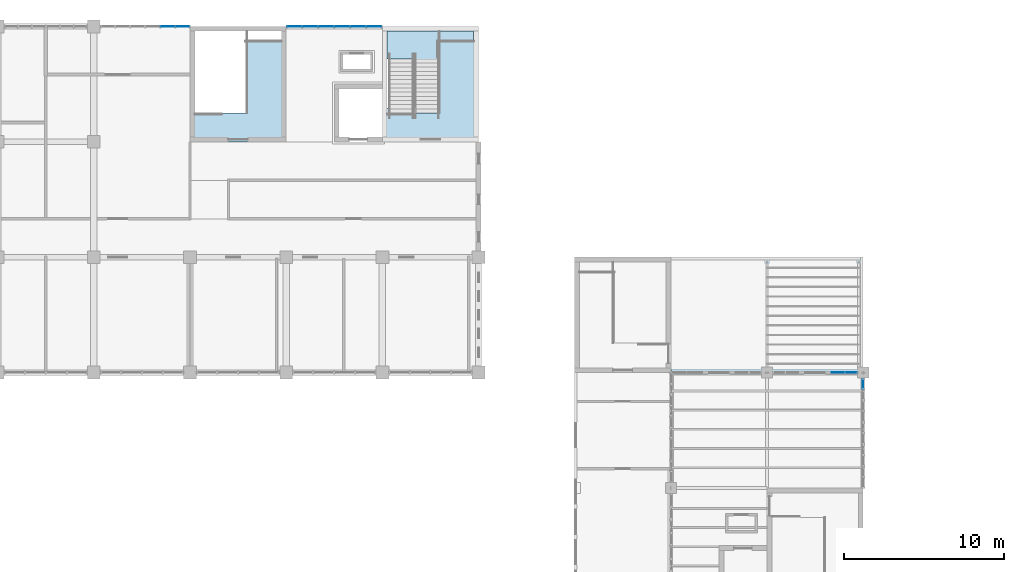
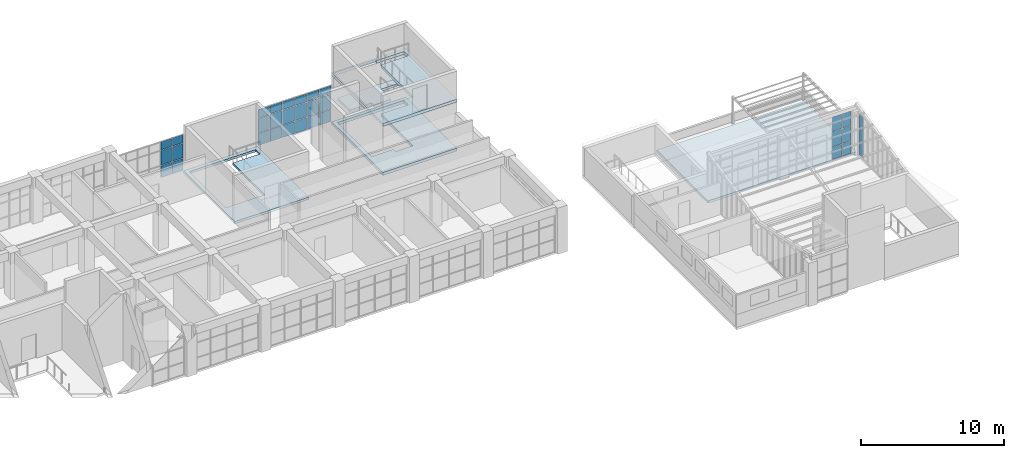
# One storey, part 35 of 51: 31 plates, 5 slabs, 5 elements without a shape of their own.
"""IFC4 building model written with IfcOpenShell, lengths in metres."""

from ifc_helpers import new_model, si_unit, direction, frame, origin, origin_2d, place, context, subcontext, project, spatial, polyline, rectangle, outline, extrude, material, layer, layer_set, type_object, element, aggregate, save


model = new_model("IFC4")

# Units and contexts
model_context = context("Model", 3, precision=1e-05, world=origin(), true_north=direction((0.0, 1.0)))
body_context = subcontext(model_context, "Body", "Model", "MODEL_VIEW")
ifc_project = project(units=[si_unit("LENGTHUNIT", "METRE"), si_unit("AREAUNIT", "SQUARE_METRE"), si_unit("VOLUMEUNIT", "CUBIC_METRE"), si_unit("PLANEANGLEUNIT", "RADIAN"), si_unit("MASSUNIT", "GRAM", prefix="KILO")], contexts=[model_context])

# Site, building, storey
site_placement = place(None, origin())
site = spatial("IfcSite", under=ifc_project, at=site_placement, CompositionType="ELEMENT")
building_placement = place(site_placement, origin())
building = spatial("IfcBuilding", under=site, at=building_placement, Name="Laocheng Heights Fire and Rescue Headquarters", CompositionType="ELEMENT")
storey_placement = place(building_placement, frame((0.0, 0.0, 21.0)))
storey = spatial("IfcBuildingStorey", under=building, at=storey_placement, Name="L05", CompositionType="ELEMENT", Elevation=21.0)

# Curtain wall, plates
ifc_material_1 = material(Name="Dark anodised aluminium unitised curtain wall, low-e double glazing", Category="aluminium")
curtain_wall_type_1 = type_object("IfcCurtainWallType", Name="CW 5600 x 3150 HQ NORTH GLAZING", PredefinedType="NOTDEFINED", material=ifc_material_1)
curtain_wall_1_placement = place(storey_placement, origin())
curtain_wall_1 = element("IfcCurtainWall", 1, at=curtain_wall_1_placement, inside=storey, type_object=curtain_wall_type_1, Name="X27-X HQ NORTH L05", PredefinedType="NOTDEFINED")
ifc_material_2 = material(Name="Laminated safety glass, low-e double glazed unit", Category="glass")
ifc_layer_1 = layer(ifc_material_2, 0.0400390625)
ifc_layer_set_1 = layer_set([ifc_layer_1], Name="Laminated safety glass, low-e double glazed unit")
plate_type_1 = type_object("IfcPlateType", Name="CW LAMINATED SAFETY PANEL 40 X", PredefinedType="CURTAIN_PANEL", material=ifc_layer_set_1)
plate_1_placement = place(storey_placement, frame((64.60009765625, 72.0, 0.050048828125), z_axis=(0.0, 0.0, 1.0), x_axis=(1.0, 0.0, 0.0)))
plate_1 = element("IfcPlate", 2, at=plate_1_placement, type_object=plate_type_1, Name="X27-X panel 5.1", PredefinedType="CURTAIN_PANEL", context=body_context, shape_type="SweptSolid", body=[
    extrude(rectangle(XDim=0.873291015625, YDim=0.0400390625, at=origin_2d()), origin(), (0.0, 0.0, 1.0), 1.02490234375),
])
plate_2_placement = place(storey_placement, frame((65.518310546875, 72.0, 0.050048828125), z_axis=(0.0, 0.0, 1.0), x_axis=(1.0, 0.0, 0.0)))
plate_2 = element("IfcPlate", 3, at=plate_2_placement, type_object=plate_type_1, Name="X27-X panel 6.1", PredefinedType="CURTAIN_PANEL", context=body_context, shape_type="SweptSolid", body=[
    extrude(rectangle(XDim=0.84326171875, YDim=0.0400390625, at=origin_2d()), origin(), (0.0, 0.0, 1.0), 1.02490234375),
])

ifc_material_3 = material(Name="Dark anodised aluminium unitised curtain wall, low-e double glazing", Category="aluminium")
curtain_wall_type_2 = type_object("IfcCurtainWallType", Name="CW 6000 x 3150 HQ NORTH GLAZING", PredefinedType="NOTDEFINED", material=ifc_material_3)
curtain_wall_2_placement = place(storey_placement, origin())
curtain_wall_2 = element("IfcCurtainWall", 4, at=curtain_wall_2_placement, inside=storey, type_object=curtain_wall_type_2, Name="X28-X HQ NORTH L05", PredefinedType="NOTDEFINED")
plate_3_placement = place(storey_placement, frame((72.514892578125, 72.0, 0.050048828125), z_axis=(0.0, 0.0, 1.0), x_axis=(1.0, 0.0, 0.0)))
plate_3 = element("IfcPlate", 5, at=plate_3_placement, type_object=plate_type_1, Name="X28-X panel 1.1", PredefinedType="CURTAIN_PANEL", context=body_context, shape_type="SweptSolid", body=[
    extrude(rectangle(XDim=0.909912109375, YDim=0.0400390625, at=origin_2d()), origin(), (0.0, 0.0, 1.0), 1.02490234375),
])
plate_4_placement = place(storey_placement, frame((73.5, 72.0, 0.050048828125), z_axis=(0.0, 0.0, 1.0), x_axis=(1.0, 0.0, 0.0)))
plate_4 = element("IfcPlate", 6, at=plate_4_placement, type_object=plate_type_1, Name="X28-X panel 2.1", PredefinedType="CURTAIN_PANEL", context=body_context, shape_type="SweptSolid", body=[
    extrude(rectangle(XDim=0.93994140625, YDim=0.0400390625, at=origin_2d()), origin(), (0.0, 0.0, 1.0), 1.02490234375),
])
plate_5_placement = place(storey_placement, frame((74.5, 72.0, 0.050048828125), z_axis=(0.0, 0.0, 1.0), x_axis=(1.0, 0.0, 0.0)))
plate_5 = element("IfcPlate", 7, at=plate_5_placement, type_object=plate_type_1, Name="X28-X panel 3.1", PredefinedType="CURTAIN_PANEL", context=body_context, shape_type="SweptSolid", body=[
    extrude(rectangle(XDim=0.93994140625, YDim=0.0400390625, at=origin_2d()), origin(), (0.0, 0.0, 1.0), 1.02490234375),
])
plate_6_placement = place(storey_placement, frame((75.5, 72.0, 0.050048828125), z_axis=(0.0, 0.0, 1.0), x_axis=(1.0, 0.0, 0.0)))
plate_6 = element("IfcPlate", 8, at=plate_6_placement, type_object=plate_type_1, Name="X28-X panel 4.1", PredefinedType="CURTAIN_PANEL", context=body_context, shape_type="SweptSolid", body=[
    extrude(rectangle(XDim=0.93994140625, YDim=0.0400390625, at=origin_2d()), origin(), (0.0, 0.0, 1.0), 1.02490234375),
])
plate_7_placement = place(storey_placement, frame((76.5, 72.0, 0.050048828125), z_axis=(0.0, 0.0, 1.0), x_axis=(1.0, 0.0, 0.0)))
plate_7 = element("IfcPlate", 9, at=plate_7_placement, type_object=plate_type_1, Name="X28-X panel 5.1", PredefinedType="CURTAIN_PANEL", context=body_context, shape_type="SweptSolid", body=[
    extrude(rectangle(XDim=0.93994140625, YDim=0.0400390625, at=origin_2d()), origin(), (0.0, 0.0, 1.0), 1.02490234375),
])
plate_8_placement = place(storey_placement, frame((77.485107421875, 72.0, 0.050048828125), z_axis=(0.0, 0.0, 1.0), x_axis=(1.0, 0.0, 0.0)))
plate_8 = element("IfcPlate", 10, at=plate_8_placement, type_object=plate_type_1, Name="X28-X panel 6.1", PredefinedType="CURTAIN_PANEL", context=body_context, shape_type="SweptSolid", body=[
    extrude(rectangle(XDim=0.909912109375, YDim=0.0400390625, at=origin_2d()), origin(), (0.0, 0.0, 1.0), 1.02490234375),
])

ifc_material_4 = material(Name="Dark anodised aluminium unitised curtain wall, low-e double glazing", Category="aluminium")
curtain_wall_type_3 = type_object("IfcCurtainWallType", Name="CW 1600 x 3714 CREW ROOF LOUNGE GLAZING", PredefinedType="NOTDEFINED", material=ifc_material_4)
curtain_wall_3_placement = place(storey_placement, origin())
curtain_wall_3 = element("IfcCurtainWall", 11, at=curtain_wall_3_placement, inside=storey, type_object=curtain_wall_type_3, Name="X11-W CREW LOUNGE NORTH L05", PredefinedType="NOTDEFINED")
ifc_material_5 = material(Name="Low-e double glazed unit, laminated inner pane")
ifc_layer_2 = layer(ifc_material_5, 0.028076171875)
ifc_layer_set_2 = layer_set([ifc_layer_2], Name="Low-e double glazed unit, laminated inner pane")
plate_type_2 = type_object("IfcPlateType", Name="CW VISION PANEL 28 W", PredefinedType="CURTAIN_PANEL", material=ifc_layer_set_2)
plate_9_placement = place(storey_placement, frame((106.43505859375, 50.39990234375, 0.050048828125), z_axis=(0.0, 0.0, 1.0), x_axis=(1.0, 0.0, 0.0)))
plate_9 = element("IfcPlate", 12, at=plate_9_placement, type_object=plate_type_2, Name="X11-W panel 1.1", PredefinedType="CURTAIN_PANEL", context=body_context, shape_type="SweptSolid", body=[
    extrude(rectangle(XDim=0.77001953125, YDim=0.028076171875, at=origin_2d()), origin(), (0.0, 0.0, 1.0), 1.02490234375),
])
plate_10_placement = place(storey_placement, frame((106.43505859375, 50.39990234375, 1.125), z_axis=(0.0, 0.0, 1.0), x_axis=(1.0, 0.0, 0.0)))
plate_10 = element("IfcPlate", 13, at=plate_10_placement, type_object=plate_type_2, Name="X11-W panel 1.2", PredefinedType="CURTAIN_PANEL", context=body_context, shape_type="SweptSolid", body=[
    extrude(rectangle(XDim=0.77001953125, YDim=0.028076171875, at=origin_2d()), origin(), (0.0, 0.0, 1.0), 1.25),
])
plate_11_placement = place(storey_placement, frame((106.43505859375, 50.39990234375, 2.4248046875), z_axis=(0.0, 0.0, 1.0), x_axis=(1.0, 0.0, 0.0)))
plate_11 = element("IfcPlate", 14, at=plate_11_placement, type_object=plate_type_2, Name="X11-W panel 1.3", PredefinedType="CURTAIN_PANEL", context=body_context, shape_type="SweptSolid", body=[
    extrude(rectangle(XDim=0.77001953125, YDim=0.028076171875, at=origin_2d()), origin(), (0.0, 0.0, 1.0), 1.239501953125),
])
plate_12_placement = place(storey_placement, frame((107.235107421875, 50.39990234375, 0.050048828125), z_axis=(0.0, 0.0, 1.0), x_axis=(1.0, 0.0, 0.0)))
plate_12 = element("IfcPlate", 15, at=plate_12_placement, type_object=plate_type_2, Name="X11-W panel 2.1", PredefinedType="CURTAIN_PANEL", context=body_context, shape_type="SweptSolid", body=[
    extrude(rectangle(XDim=0.7099609375, YDim=0.028076171875, at=origin_2d()), origin(), (0.0, 0.0, 1.0), 1.02490234375),
])
plate_13_placement = place(storey_placement, frame((107.235107421875, 50.39990234375, 1.125), z_axis=(0.0, 0.0, 1.0), x_axis=(1.0, 0.0, 0.0)))
plate_13 = element("IfcPlate", 16, at=plate_13_placement, type_object=plate_type_2, Name="X11-W panel 2.2", PredefinedType="CURTAIN_PANEL", context=body_context, shape_type="SweptSolid", body=[
    extrude(rectangle(XDim=0.7099609375, YDim=0.028076171875, at=origin_2d()), origin(), (0.0, 0.0, 1.0), 1.25),
])
plate_14_placement = place(storey_placement, frame((107.235107421875, 50.39990234375, 2.4248046875), z_axis=(0.0, 0.0, 1.0), x_axis=(1.0, 0.0, 0.0)))
plate_14 = element("IfcPlate", 17, at=plate_14_placement, type_object=plate_type_2, Name="X11-W panel 2.3", PredefinedType="CURTAIN_PANEL", context=body_context, shape_type="SweptSolid", body=[
    extrude(rectangle(XDim=0.7099609375, YDim=0.028076171875, at=origin_2d()), origin(), (0.0, 0.0, 1.0), 1.239501953125),
])
aggregate(curtain_wall_3, [plate_9, plate_10, plate_11, plate_12, plate_13, plate_14])

# Curtain wall, plate
ifc_material_6 = material(Name="Dark anodised aluminium unitised curtain wall, low-e double glazing", Category="aluminium")
curtain_wall_type_4 = type_object("IfcCurtainWallType", Name="CW 1370 x 3647 CREW LOUNGE END UNIT", PredefinedType="NOTDEFINED", material=ifc_material_6)
curtain_wall_4_placement = place(storey_placement, origin())
curtain_wall_4 = element("IfcCurtainWall", 18, at=curtain_wall_4_placement, inside=storey, type_object=curtain_wall_type_4, Name="X25-W CREW LOUNGE EAST 43 5", PredefinedType="NOTDEFINED")
plate_15_placement = place(storey_placement, frame((108.0, 49.6923828125, 0.050048828125), z_axis=(0.0, 0.0, 1.0), x_axis=(0.0, 1.0, 0.0)))
plate_15 = element("IfcPlate", 19, at=plate_15_placement, type_object=plate_type_2, Name="X25-W panel 2.1", PredefinedType="CURTAIN_PANEL", context=body_context, shape_type="SweptSolid", body=[
    extrude(rectangle(XDim=0.594970703125, YDim=0.028076171875, at=origin_2d()), origin(), (0.0, 0.0, 1.0), 3.546875),
])
aggregate(curtain_wall_4, [plate_15])

# Plate
ifc_material_7 = material(Name="Low-e double glazed unit, laminated inner pane")
ifc_layer_3 = layer(ifc_material_7, 0.028076171875)
ifc_layer_set_3 = layer_set([ifc_layer_3], Name="Low-e double glazed unit, laminated inner pane")
plate_type_3 = type_object("IfcPlateType", Name="CW VISION PANEL 28 X", PredefinedType="CURTAIN_PANEL", material=ifc_layer_set_3)
plate_16_placement = place(storey_placement, frame((64.60009765625, 72.0, 1.125), z_axis=(0.0, 0.0, 1.0), x_axis=(1.0, 0.0, 0.0)))
plate_16 = element("IfcPlate", 20, at=plate_16_placement, type_object=plate_type_3, Name="X27-X panel 5.2", PredefinedType="CURTAIN_PANEL", context=body_context, shape_type="SweptSolid", body=[
    extrude(rectangle(XDim=0.873291015625, YDim=0.028076171875, at=origin_2d()), origin(), (0.0, 0.0, 1.0), 1.25),
])

plate_17_placement = place(storey_placement, frame((64.60009765625, 72.0, 2.4248046875), z_axis=(0.0, 0.0, 1.0), x_axis=(1.0, 0.0, 0.0)))
plate_17 = element("IfcPlate", 21, at=plate_17_placement, type_object=plate_type_3, Name="X27-X panel 5.3", PredefinedType="CURTAIN_PANEL", context=body_context, shape_type="SweptSolid", body=[
    extrude(rectangle(XDim=0.873291015625, YDim=0.028076171875, at=origin_2d()), origin(), (0.0, 0.0, 1.0), 0.675048828125),
])

plate_18_placement = place(storey_placement, frame((65.518310546875, 72.0, 1.125), z_axis=(0.0, 0.0, 1.0), x_axis=(1.0, 0.0, 0.0)))
plate_18 = element("IfcPlate", 22, at=plate_18_placement, type_object=plate_type_3, Name="X27-X panel 6.2", PredefinedType="CURTAIN_PANEL", context=body_context, shape_type="SweptSolid", body=[
    extrude(rectangle(XDim=0.84326171875, YDim=0.028076171875, at=origin_2d()), origin(), (0.0, 0.0, 1.0), 1.25),
])

plate_19_placement = place(storey_placement, frame((65.518310546875, 72.0, 2.4248046875), z_axis=(0.0, 0.0, 1.0), x_axis=(1.0, 0.0, 0.0)))
plate_19 = element("IfcPlate", 23, at=plate_19_placement, type_object=plate_type_3, Name="X27-X panel 6.3", PredefinedType="CURTAIN_PANEL", context=body_context, shape_type="SweptSolid", body=[
    extrude(rectangle(XDim=0.84326171875, YDim=0.028076171875, at=origin_2d()), origin(), (0.0, 0.0, 1.0), 0.675048828125),
])

aggregate(curtain_wall_1, [plate_1, plate_16, plate_17, plate_2, plate_18, plate_19])

plate_20_placement = place(storey_placement, frame((72.514892578125, 72.0, 1.125), z_axis=(0.0, 0.0, 1.0), x_axis=(1.0, 0.0, 0.0)))
plate_20 = element("IfcPlate", 24, at=plate_20_placement, type_object=plate_type_3, Name="X28-X panel 1.2", PredefinedType="CURTAIN_PANEL", context=body_context, shape_type="SweptSolid", body=[
    extrude(rectangle(XDim=0.909912109375, YDim=0.028076171875, at=origin_2d()), origin(), (0.0, 0.0, 1.0), 1.25),
])

plate_21_placement = place(storey_placement, frame((72.514892578125, 72.0, 2.4248046875), z_axis=(0.0, 0.0, 1.0), x_axis=(1.0, 0.0, 0.0)))
plate_21 = element("IfcPlate", 25, at=plate_21_placement, type_object=plate_type_3, Name="X28-X panel 1.3", PredefinedType="CURTAIN_PANEL", context=body_context, shape_type="SweptSolid", body=[
    extrude(rectangle(XDim=0.909912109375, YDim=0.028076171875, at=origin_2d()), origin(), (0.0, 0.0, 1.0), 0.675048828125),
])

plate_22_placement = place(storey_placement, frame((73.5, 72.0, 1.125), z_axis=(0.0, 0.0, 1.0), x_axis=(1.0, 0.0, 0.0)))
plate_22 = element("IfcPlate", 26, at=plate_22_placement, type_object=plate_type_3, Name="X28-X panel 2.2", PredefinedType="CURTAIN_PANEL", context=body_context, shape_type="SweptSolid", body=[
    extrude(rectangle(XDim=0.93994140625, YDim=0.028076171875, at=origin_2d()), origin(), (0.0, 0.0, 1.0), 1.25),
])

plate_23_placement = place(storey_placement, frame((73.5, 72.0, 2.4248046875), z_axis=(0.0, 0.0, 1.0), x_axis=(1.0, 0.0, 0.0)))
plate_23 = element("IfcPlate", 27, at=plate_23_placement, type_object=plate_type_3, Name="X28-X panel 2.3", PredefinedType="CURTAIN_PANEL", context=body_context, shape_type="SweptSolid", body=[
    extrude(rectangle(XDim=0.93994140625, YDim=0.028076171875, at=origin_2d()), origin(), (0.0, 0.0, 1.0), 0.675048828125),
])

plate_24_placement = place(storey_placement, frame((74.5, 72.0, 1.125), z_axis=(0.0, 0.0, 1.0), x_axis=(1.0, 0.0, 0.0)))
plate_24 = element("IfcPlate", 28, at=plate_24_placement, type_object=plate_type_3, Name="X28-X panel 3.2", PredefinedType="CURTAIN_PANEL", context=body_context, shape_type="SweptSolid", body=[
    extrude(rectangle(XDim=0.93994140625, YDim=0.028076171875, at=origin_2d()), origin(), (0.0, 0.0, 1.0), 1.25),
])

plate_25_placement = place(storey_placement, frame((74.5, 72.0, 2.4248046875), z_axis=(0.0, 0.0, 1.0), x_axis=(1.0, 0.0, 0.0)))
plate_25 = element("IfcPlate", 29, at=plate_25_placement, type_object=plate_type_3, Name="X28-X panel 3.3", PredefinedType="CURTAIN_PANEL", context=body_context, shape_type="SweptSolid", body=[
    extrude(rectangle(XDim=0.93994140625, YDim=0.028076171875, at=origin_2d()), origin(), (0.0, 0.0, 1.0), 0.675048828125),
])

plate_26_placement = place(storey_placement, frame((75.5, 72.0, 1.125), z_axis=(0.0, 0.0, 1.0), x_axis=(1.0, 0.0, 0.0)))
plate_26 = element("IfcPlate", 30, at=plate_26_placement, type_object=plate_type_3, Name="X28-X panel 4.2", PredefinedType="CURTAIN_PANEL", context=body_context, shape_type="SweptSolid", body=[
    extrude(rectangle(XDim=0.93994140625, YDim=0.028076171875, at=origin_2d()), origin(), (0.0, 0.0, 1.0), 1.25),
])

plate_27_placement = place(storey_placement, frame((75.5, 72.0, 2.4248046875), z_axis=(0.0, 0.0, 1.0), x_axis=(1.0, 0.0, 0.0)))
plate_27 = element("IfcPlate", 31, at=plate_27_placement, type_object=plate_type_3, Name="X28-X panel 4.3", PredefinedType="CURTAIN_PANEL", context=body_context, shape_type="SweptSolid", body=[
    extrude(rectangle(XDim=0.93994140625, YDim=0.028076171875, at=origin_2d()), origin(), (0.0, 0.0, 1.0), 0.675048828125),
])

plate_28_placement = place(storey_placement, frame((76.5, 72.0, 1.125), z_axis=(0.0, 0.0, 1.0), x_axis=(1.0, 0.0, 0.0)))
plate_28 = element("IfcPlate", 32, at=plate_28_placement, type_object=plate_type_3, Name="X28-X panel 5.2", PredefinedType="CURTAIN_PANEL", context=body_context, shape_type="SweptSolid", body=[
    extrude(rectangle(XDim=0.93994140625, YDim=0.028076171875, at=origin_2d()), origin(), (0.0, 0.0, 1.0), 1.25),
])

plate_29_placement = place(storey_placement, frame((76.5, 72.0, 2.4248046875), z_axis=(0.0, 0.0, 1.0), x_axis=(1.0, 0.0, 0.0)))
plate_29 = element("IfcPlate", 33, at=plate_29_placement, type_object=plate_type_3, Name="X28-X panel 5.3", PredefinedType="CURTAIN_PANEL", context=body_context, shape_type="SweptSolid", body=[
    extrude(rectangle(XDim=0.93994140625, YDim=0.028076171875, at=origin_2d()), origin(), (0.0, 0.0, 1.0), 0.675048828125),
])

plate_30_placement = place(storey_placement, frame((77.485107421875, 72.0, 1.125), z_axis=(0.0, 0.0, 1.0), x_axis=(1.0, 0.0, 0.0)))
plate_30 = element("IfcPlate", 34, at=plate_30_placement, type_object=plate_type_3, Name="X28-X panel 6.2", PredefinedType="CURTAIN_PANEL", context=body_context, shape_type="SweptSolid", body=[
    extrude(rectangle(XDim=0.909912109375, YDim=0.028076171875, at=origin_2d()), origin(), (0.0, 0.0, 1.0), 1.25),
])

plate_31_placement = place(storey_placement, frame((77.485107421875, 72.0, 2.4248046875), z_axis=(0.0, 0.0, 1.0), x_axis=(1.0, 0.0, 0.0)))
plate_31 = element("IfcPlate", 35, at=plate_31_placement, type_object=plate_type_3, Name="X28-X panel 6.3", PredefinedType="CURTAIN_PANEL", context=body_context, shape_type="SweptSolid", body=[
    extrude(rectangle(XDim=0.909912109375, YDim=0.028076171875, at=origin_2d()), origin(), (0.0, 0.0, 1.0), 0.675048828125),
])

aggregate(curtain_wall_2, [plate_3, plate_20, plate_21, plate_4, plate_22, plate_23, plate_5, plate_24, plate_25, plate_6, plate_26, plate_27, plate_7, plate_28, plate_29, plate_8, plate_30, plate_31])

# Slabs
ifc_material_8 = material(Name="Concrete C40", Category="concrete")
ifc_layer_4 = layer(ifc_material_8, 0.199951171875)
ifc_layer_set_4 = layer_set([ifc_layer_4], Name="Concrete C40")
slab_type_1 = type_object("IfcSlabType", Name="RC GARDEN SLAB 200 CREW ROOF", PredefinedType="ROOF", material=ifc_layer_set_4)
slab_1_placement = place(storey_placement, frame((0.0, 0.0, -0.199951171875)))
element("IfcSlab", 36, at=slab_1_placement, inside=storey, type_object=slab_type_1, Name="Crew roof garden slab", PredefinedType="ROOF", context=body_context, shape_type="SweptSolid", body=[
    extrude(outline(polyline([(108.0, 57.60009765625), (96.0, 57.60009765625), (96.0, 50.39990234375), (108.0, 50.39990234375), (108.0, 57.60009765625)])), origin(), (0.0, 0.0, 1.0), 0.199951171875),
])
ifc_material_9 = material(Name="Concrete C40", Category="concrete")
ifc_layer_5 = layer(ifc_material_9, 0.199951171875)
ifc_layer_set_5 = layer_set([ifc_layer_5], Name="Concrete C40")
slab_type_2 = type_object("IfcSlabType", Name="STAIR FLOOR LANDING 200", PredefinedType="LANDING", material=ifc_layer_set_5)
slab_2_placement = place(storey_placement, frame((0.0, 0.0, -0.199951171875)))
element("IfcSlab", 37, at=slab_2_placement, inside=storey, type_object=slab_type_2, Name="Stair H3 floor landing L05", PredefinedType="LANDING", context=body_context, shape_type="SweptSolid", body=[
    extrude(outline(polyline([(66.0, 72.0), (72.0, 72.0), (72.0, 64.800048828125), (66.0, 64.800048828125), (66.0, 72.0)]), holes=[polyline([(68.074951171875, 71.699951171875), (66.300048828125, 71.699951171875), (66.300048828125, 69.97705078125), (66.300048828125, 66.60009765625), (68.074951171875, 66.60009765625), (68.074951171875, 66.60302734375), (69.47509765625, 66.60302734375), (69.47509765625, 69.679931640625), (69.47509765625, 71.10009765625), (71.699951171875, 71.10009765625), (71.699951171875, 71.699951171875), (69.47509765625, 71.699951171875), (68.074951171875, 71.699951171875)])]), origin(), (0.0, 0.0, 1.0), 0.199951171875),
])

# Stair, slabs
ifc_material_10 = material(Name="Concrete C40", Category="concrete")
stair_type = type_object("IfcStairType", Name="RC STAIR 1400 TWO FLIGHTS 28 RISERS OF 150 GOING 260", PredefinedType="HALF_TURN_STAIR", material=ifc_material_10)
stair_placement = place(storey_placement, origin())
stair = element("IfcStair", 38, at=stair_placement, inside=storey, type_object=stair_type, Name="Stair H2 (L05 to roof)", PredefinedType="HALF_TURN_STAIR")
ifc_material_11 = material(Name="Concrete C40", Category="concrete")
ifc_layer_6 = layer(ifc_material_11, 0.25)
ifc_layer_set_6 = layer_set([ifc_layer_6], Name="Concrete C40")
slab_type_3 = type_object("IfcSlabType", Name="STAIR FLOOR LANDING 250", PredefinedType="LANDING", material=ifc_layer_set_6)
slab_3_placement = place(storey_placement, frame((0.0, 0.0, -0.25)))
slab_3 = element("IfcSlab", 39, at=slab_3_placement, type_object=slab_type_3, Name="Stair H2 floor landing L05", PredefinedType="LANDING", context=body_context, shape_type="SweptSolid", body=[
    extrude(outline(polyline([(78.0, 72.0), (84.0, 72.0), (84.0, 64.800048828125), (78.0, 64.800048828125), (78.0, 72.0)]), holes=[polyline([(80.074951171875, 66.900146484375), (80.074951171875, 66.60302734375), (81.47509765625, 66.60302734375), (81.47509765625, 69.679931640625), (81.47509765625, 71.10009765625), (83.699951171875, 71.10009765625), (83.699951171875, 71.699951171875), (81.47509765625, 71.699951171875), (80.074951171875, 71.699951171875), (78.300048828125, 71.699951171875), (78.300048828125, 69.97705078125), (78.300048828125, 66.900146484375), (80.074951171875, 66.900146484375)])]), origin(), (0.0, 0.0, 1.0), 0.25),
])
ifc_material_12 = material(Name="Concrete C40", Category="concrete")
ifc_layer_7 = layer(ifc_material_12, 0.201904296875)
ifc_layer_set_7 = layer_set([ifc_layer_7], Name="Concrete C40")
slab_type_4 = type_object("IfcSlabType", Name="STAIR HALF LANDING 202", PredefinedType="LANDING", material=ifc_layer_set_7)
slab_4_placement = place(storey_placement, frame((0.0, 0.0, 1.89990234375)))
slab_4 = element("IfcSlab", 40, at=slab_4_placement, type_object=slab_type_4, Name="H2-L05 landing 1", PredefinedType="LANDING", context=body_context, shape_type="SweptSolid", body=[
    extrude(outline(polyline([(83.699951171875, 71.10009765625), (83.699951171875, 71.699951171875), (81.47509765625, 71.699951171875), (80.074951171875, 71.699951171875), (78.300048828125, 71.699951171875), (78.300048828125, 69.97705078125), (80.074951171875, 69.97705078125), (80.074951171875, 69.679931640625), (81.47509765625, 69.679931640625), (81.47509765625, 71.10009765625), (83.699951171875, 71.10009765625)])), origin(), (0.0, 0.0, 1.0), 0.2021484375),
])
aggregate(stair, [slab_4, slab_3])

# Slab
ifc_material_13 = material(Name="Concrete C40", Category="concrete")
ifc_layer_8 = layer(ifc_material_13, 0.25)
ifc_layer_set_8 = layer_set([ifc_layer_8], Name="Concrete C40")
slab_type_5 = type_object("IfcSlabType", Name="STAIR ROOF LANDING 250", PredefinedType="LANDING", material=ifc_layer_set_8)
slab_5_placement = place(storey_placement, frame((0.0, 0.0, 3.949951171875)))
element("IfcSlab", 41, at=slab_5_placement, inside=storey, type_object=slab_type_5, Name="Stair H2 floor landing roof", PredefinedType="LANDING", context=body_context, shape_type="SweptSolid", body=[
    extrude(outline(polyline([(78.0, 72.0), (84.0, 72.0), (84.0, 64.800048828125), (78.0, 64.800048828125), (78.0, 72.0)]), holes=[polyline([(80.074951171875, 71.875), (78.125, 71.875), (78.125, 66.60009765625), (80.074951171875, 66.60009765625), (80.074951171875, 66.60302734375), (81.47509765625, 66.60302734375), (81.47509765625, 69.679931640625), (81.47509765625, 71.10009765625), (83.699951171875, 71.10009765625), (83.699951171875, 71.699951171875), (81.47509765625, 71.699951171875), (81.47509765625, 71.875), (80.074951171875, 71.875)])]), origin(), (0.0, 0.0, 1.0), 0.25),
])

save(model, "model.ifc")
